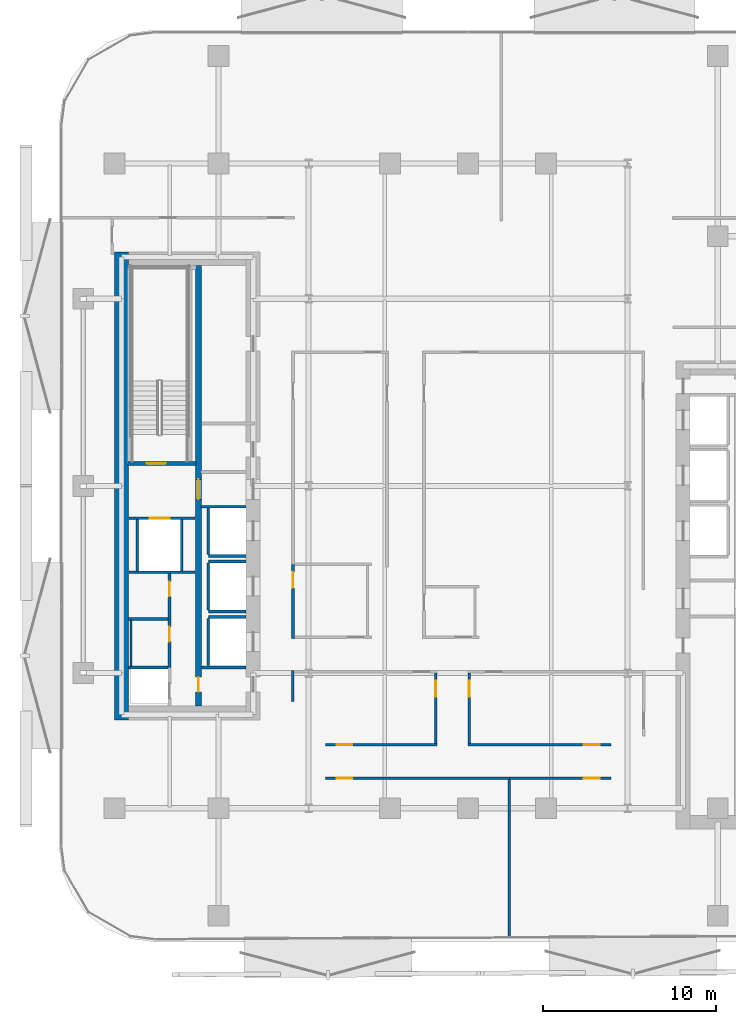
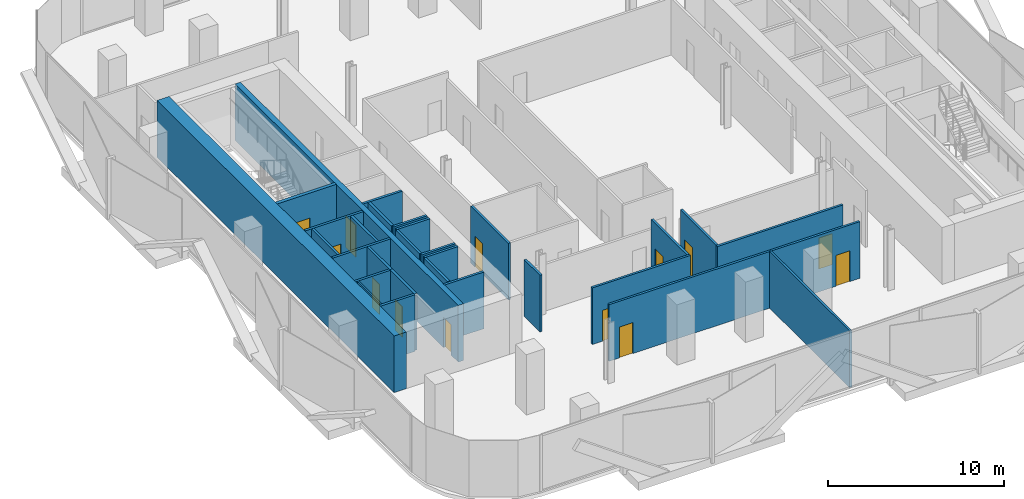
# One storey, part 3 of 15: 30 walls, 13 doors, 13 openings.
"""IFC4 building model written with IfcOpenShell, lengths in metres."""

from ifc_helpers import new_model, si_unit, direction, frame, frame_2d, origin, place, context, subcontext, project, spatial, rectangle, extrude, material, layer, layer_set, type_object, element, fill, save


model = new_model("IFC4")

# Units and contexts
model_context = context("Model", 3, precision=1e-05, world=origin(), true_north=direction((0.0, 1.0)))
body_context = subcontext(model_context, "Body", "Model", "MODEL_VIEW")
ifc_project = project(units=[si_unit("LENGTHUNIT", "METRE"), si_unit("AREAUNIT", "SQUARE_METRE"), si_unit("VOLUMEUNIT", "CUBIC_METRE"), si_unit("PLANEANGLEUNIT", "RADIAN"), si_unit("MASSUNIT", "GRAM", prefix="KILO")], contexts=[model_context])

# Site, building, storey
site_placement = place(None, origin())
site = spatial("IfcSite", under=ifc_project, at=site_placement, CompositionType="ELEMENT")
building_placement = place(site_placement, origin())
building = spatial("IfcBuilding", under=site, at=building_placement, Name="Khairoan Windgate Tower", CompositionType="ELEMENT")
storey_placement = place(building_placement, frame((0.0, 0.0, 101.60009765625)))
storey = spatial("IfcBuildingStorey", under=building, at=storey_placement, Name="L23", CompositionType="ELEMENT", Elevation=101.60009765625)

# Walls
ifc_material_1 = material(Name="Moisture-Resistant Gypsum Partition", Category="gypsum")
ifc_layer_1 = layer(ifc_material_1, 0.10009765625, Name="Moisture-Resistant Gypsum Partition")
ifc_layer_set_1 = layer_set([ifc_layer_1], Name="Moisture-Resistant Gypsum Partition")
wall_type_1 = type_object("IfcWallType", Name="Bathroom Wet-Area Partition Wall", PredefinedType="PARTITIONING", material=ifc_layer_set_1)
wall_1_placement = place(storey_placement, frame((-19.449951171875, -10.389892578125, 0.0), z_axis=(0.0, 0.0, 1.0), x_axis=(0.0, 1.0, 0.0)))
element("IfcWall", 1, at=wall_1_placement, inside=storey, type_object=wall_type_1, Name="L23 Wet Room Side Wall 042", PredefinedType="PARTITIONING", context=body_context, shape_type="SweptSolid", body=[
    extrude(rectangle(XDim=2.639892578125, YDim=0.10009765625, at=frame_2d((1.31982421875, 0.0))), origin(), (0.0, 0.0, 1.0), 3.93994140625),
])
ifc_material_2 = material(Name="Concrete C40/50", Category="concrete")
ifc_layer_2 = layer(ifc_material_2, 0.159912109375, Name="Concrete C40/50")
ifc_layer_set_2 = layer_set([ifc_layer_2], Name="Concrete C40/50")
wall_type_2 = type_object("IfcWallType", Name="Core and Hoistway Enclosure Wall", PredefinedType="STANDARD", material=ifc_layer_set_2)
wall_2_placement = place(storey_placement, frame((-14.989990234375, -4.0400390625, 0.0), z_axis=(0.0, 0.0, 1.0), x_axis=(1.0, 0.0, 0.0)))
element("IfcWall", 2, at=wall_2_placement, inside=storey, type_object=wall_type_2, Name="L23 Lift PL4 Hoistway Divider S", PredefinedType="STANDARD", context=body_context, shape_type="SweptSolid", body=[
    extrude(rectangle(XDim=2.18994140625, YDim=0.159912109375, at=frame_2d((1.094970703125, 0.0))), origin(), (0.0, 0.0, 1.0), 3.93994140625),
])
wall_3_placement = place(storey_placement, frame((-14.989990234375, -3.949951171875, 0.0), z_axis=(0.0, 0.0, 1.0), x_axis=(0.0, 1.0, 0.0)))
element("IfcWall", 3, at=wall_3_placement, inside=storey, type_object=wall_type_2, Name="L23 Lift PL4 Hoistway Back Wall", PredefinedType="STANDARD", context=body_context, shape_type="SweptSolid", body=[
    extrude(rectangle(XDim=2.699951171875, YDim=0.159912109375, at=frame_2d((1.35009765625, 0.0))), origin(), (0.0, 0.0, 1.0), 3.93994140625),
])
for number, where, z_axis, x_axis, name in (
    (4, (-14.989990234375, -7.239990234375, 0.0), (0.0, 0.0, 1.0), (1.0, 0.0, 0.0), "L23 Lift PL5 Hoistway Divider S"),
    (5, (-14.989990234375, -4.360107421875, 0.0), (0.0, 0.0, 1.0), (1.0, 0.0, 0.0), "L23 Lift PL5 Hoistway Divider N"),
):
    element("IfcWall", number, at=place(storey_placement, frame(where, z_axis=z_axis, x_axis=x_axis)), inside=storey, type_object=wall_type_2, Name=name, PredefinedType="STANDARD", context=body_context, shape_type="SweptSolid", body=[
        extrude(rectangle(XDim=2.18994140625, YDim=0.159912109375, at=frame_2d((1.094970703125, 0.0))), origin(), (0.0, 0.0, 1.0), 3.93994140625),
    ])
wall_4_placement = place(storey_placement, frame((-14.989990234375, -7.14990234375, 0.0), z_axis=(0.0, 0.0, 1.0), x_axis=(0.0, 1.0, 0.0)))
element("IfcWall", 6, at=wall_4_placement, inside=storey, type_object=wall_type_2, Name="L23 Lift PL5 Hoistway Back Wall", PredefinedType="STANDARD", context=body_context, shape_type="SweptSolid", body=[
    extrude(rectangle(XDim=2.699951171875, YDim=0.159912109375, at=frame_2d((1.35009765625, 0.0))), origin(), (0.0, 0.0, 1.0), 3.93994140625),
])
wall_5_placement = place(storey_placement, frame((-14.989990234375, -7.56005859375, 0.0), z_axis=(0.0, 0.0, 1.0), x_axis=(1.0, 0.0, 0.0)))
element("IfcWall", 7, at=wall_5_placement, inside=storey, type_object=wall_type_2, Name="L23 Lift PL6 Hoistway Divider N", PredefinedType="STANDARD", context=body_context, shape_type="SweptSolid", body=[
    extrude(rectangle(XDim=2.18994140625, YDim=0.159912109375, at=frame_2d((1.094970703125, 0.0))), origin(), (0.0, 0.0, 1.0), 3.93994140625),
])
wall_6_placement = place(storey_placement, frame((-14.989990234375, -10.35009765625, 0.0), z_axis=(0.0, 0.0, 1.0), x_axis=(0.0, 1.0, 0.0)))
element("IfcWall", 8, at=wall_6_placement, inside=storey, type_object=wall_type_2, Name="L23 Lift PL6 Hoistway Back Wall", PredefinedType="STANDARD", context=body_context, shape_type="SweptSolid", body=[
    extrude(rectangle(XDim=2.7001953125, YDim=0.159912109375, at=frame_2d((1.35009765625, 0.0))), origin(), (0.0, 0.0, 1.0), 3.93994140625),
])

# Wall, opening, door
wall_7_placement = place(storey_placement, frame((-19.550048828125, -1.860107421875, 0.0), z_axis=(0.0, 0.0, 1.0), x_axis=(1.0, 0.0, 0.0)))
wall_7 = element("IfcWall", 9, at=wall_7_placement, inside=storey, type_object=wall_type_2, Name="L23 Core Shaft Wall SW-FL2-L23", PredefinedType="STANDARD", context=body_context, shape_type="SweptSolid", body=[
    extrude(rectangle(XDim=3.800048828125, YDim=0.159912109375, at=frame_2d((1.89990234375, 0.0))), origin(), (0.0, 0.0, 1.0), 3.93994140625),
])
opening_1_placement = place(wall_7_placement, frame((1.179931640625, 0.0, 0.0)))
opening_1 = element("IfcOpeningElement", 10, at=opening_1_placement, cuts=wall_7, Name="Opening LD-FL", PredefinedType="OPENING", context=body_context, shape_type="SweptSolid", body=[
    extrude(rectangle(XDim=1.14990234375, YDim=2.199951171875, at=frame_2d((0.574951171875, 1.10009765625))), frame((0.0, 0.08984375, 0.0), z_axis=(0.0, -1.0, 0.0), x_axis=(1.0, 0.0, 0.0)), (0.0, 0.0, 1.0), 0.179931640625),
])
ifc_material_3 = material(Name="Steel S355", Category="steel")
door_type_1 = type_object("IfcDoorType", Name="Firefighting Lift Sliding Landing Door LD-FL 1150x2200", OperationType="DOUBLE_DOOR_SLIDING", PredefinedType="DOOR", material=ifc_material_3)
door_1_placement = place(opening_1_placement, origin())
door_1 = element("IfcDoor", 11, at=door_1_placement, inside=storey, type_object=door_type_1, Name="L23 Firefighting Lift FL2 Landing Door", OperationType="DOUBLE_DOOR_SLIDING", OverallHeight=2.199951171875, OverallWidth=1.14990234375, PredefinedType="DOOR", context=body_context, shape_type="SweptSolid", body=[
    extrude(rectangle(XDim=1.14990234375, YDim=2.199951171875, at=frame_2d((0.574951171875, 1.10009765625))), frame((0.0, 0.02490234375, 0.0), z_axis=(0.0, -1.0, 0.0), x_axis=(1.0, 0.0, 0.0)), (0.0, 0.0, 1.0), 0.050048828125),
])
fill(opening_1, door_1)

# Walls
wall_8_placement = place(storey_placement, frame((-19.550048828125, -4.97998046875, 0.0), z_axis=(0.0, 0.0, 1.0), x_axis=(1.0, 0.0, 0.0)))
element("IfcWall", 12, at=wall_8_placement, inside=storey, type_object=wall_type_2, Name="L23 Core Shaft Wall SW-FL2B-L23", PredefinedType="STANDARD", context=body_context, shape_type="SweptSolid", body=[
    extrude(rectangle(XDim=3.800048828125, YDim=0.159912109375, at=frame_2d((1.89990234375, 0.0))), origin(), (0.0, 0.0, 1.0), 3.93994140625),
])
for number, where, z_axis, x_axis, name in (
    (13, (-19.080078125, -4.89990234375, 0.0), (0.0, 0.0, 1.0), (0.0, 1.0, 0.0), "L23 Core Shaft Wall SW-FL2W-L23"),
    (14, (-16.52001953125, -4.89990234375, 0.0), (0.0, 0.0, 1.0), (0.0, 1.0, 0.0), "L23 Core Shaft Wall SW-FL2E-L23"),
):
    element("IfcWall", number, at=place(storey_placement, frame(where, z_axis=z_axis, x_axis=x_axis)), inside=storey, type_object=wall_type_2, Name=name, PredefinedType="STANDARD", context=body_context, shape_type="SweptSolid", body=[
        extrude(rectangle(XDim=2.9599609375, YDim=0.159912109375, at=frame_2d((1.47998046875, 0.0))), origin(), (0.0, 0.0, 1.0), 3.93994140625),
    ])
for number, where, z_axis, x_axis, name in (
    (15, (-15.39990234375, -1.199951171875, 0.0), (0.0, 0.0, 1.0), (1.0, 0.0, 0.0), "L23 Core Shaft Wall SW-WV2-L23"),
    (16, (-15.39990234375, -10.47998046875, 0.0), (0.0, 0.0, 1.0), (1.0, 0.0, 0.0), "L23 Core Shaft Wall SW-WSV-L23"),
):
    element("IfcWall", number, at=place(storey_placement, frame(where, z_axis=z_axis, x_axis=x_axis)), inside=storey, type_object=wall_type_2, Name=name, PredefinedType="STANDARD", context=body_context, shape_type="SweptSolid", body=[
        extrude(rectangle(XDim=2.599853515625, YDim=0.159912109375, at=frame_2d((1.2998046875, 0.0))), origin(), (0.0, 0.0, 1.0), 3.93994140625),
    ])
ifc_material_4 = material(Name="Acoustic Fire-Rated Gypsum Partition", Category="gypsum")
ifc_layer_3 = layer(ifc_material_4, 0.139892578125, Name="Acoustic Fire-Rated Gypsum Partition")
ifc_layer_set_3 = layer_set([ifc_layer_3], Name="Acoustic Fire-Rated Gypsum Partition")
wall_type_3 = type_object("IfcWallType", Name="Inter-Tenancy Compartment Wall", PredefinedType="PARTITIONING", material=ifc_layer_set_3)
wall_9_placement = place(storey_placement, frame((2.3798828125, -26.054931640625, 0.0), z_axis=(0.0, 0.0, 1.0), x_axis=(0.0, 1.0, 0.0)))
element("IfcWall", 17, at=wall_9_placement, inside=storey, type_object=wall_type_3, Name="L23 Interior Partition 039", PredefinedType="PARTITIONING", context=body_context, shape_type="SweptSolid", body=[
    extrude(rectangle(XDim=9.119873046875, YDim=0.139892578125, at=frame_2d((4.56005859375, 0.0))), origin(), (0.0, 0.0, 1.0), 3.93994140625),
])

# Wall, opening, door
ifc_material_5 = material(Name="Concrete C40/50", Category="concrete")
ifc_layer_4 = layer(ifc_material_5, 0.159912109375, Name="Concrete C40/50")
ifc_layer_set_4 = layer_set([ifc_layer_4], Name="Concrete C40/50")
wall_type_4 = type_object("IfcWallType", Name="Plant and Refuge Compartment Wall", PredefinedType="PARTITIONING", material=ifc_layer_set_4)
wall_10_placement = place(storey_placement, frame((-17.22998046875, -10.469970703125, 0.0), z_axis=(0.0, 0.0, 1.0), x_axis=(0.0, 1.0, 0.0)))
wall_10 = element("IfcWall", 18, at=wall_10_placement, inside=storey, type_object=wall_type_4, Name="L23 Interior Partition 002", PredefinedType="PARTITIONING", context=body_context, shape_type="SweptSolid", body=[
    extrude(rectangle(XDim=2.800048828125, YDim=0.159912109375, at=frame_2d((1.39990234375, 0.0))), origin(), (0.0, 0.0, 1.0), 3.93994140625),
])
opening_2_placement = place(wall_10_placement, frame((1.489990234375, 0.0, 0.0)))
opening_2 = element("IfcOpeningElement", 19, at=opening_2_placement, cuts=wall_10, Name="Opening FD-SRV", PredefinedType="OPENING", context=body_context, shape_type="SweptSolid", body=[
    extrude(rectangle(XDim=0.85009765625, YDim=2.10009765625, at=frame_2d((0.425048828125, 1.050048828125))), frame((0.0, 0.08984375, 0.0), z_axis=(0.0, -1.0, 0.0), x_axis=(1.0, 0.0, 0.0)), (0.0, 0.0, 1.0), 0.179931640625),
])
ifc_material_6 = material(Name="Steel S355", Category="steel")
door_type_2 = type_object("IfcDoorType", Name="Core Service and Riser Fire Door FD-SRV 850x2100", OperationType="NOTDEFINED", PredefinedType="DOOR", material=ifc_material_6)
door_2_placement = place(opening_2_placement, origin())
door_2 = element("IfcDoor", 20, at=door_2_placement, inside=storey, type_object=door_type_2, Name="L23 L23-04-L23-06 Door", OperationType="SINGLE_SWING_RIGHT", OverallHeight=2.10009765625, OverallWidth=0.85009765625, PredefinedType="DOOR", context=body_context, shape_type="SweptSolid", body=[
    extrude(rectangle(XDim=0.85009765625, YDim=2.10009765625, at=frame_2d((0.425048828125, 1.050048828125))), frame((0.0, 0.02490234375, 0.0), z_axis=(0.0, -1.0, 0.0), x_axis=(1.0, 0.0, 0.0)), (0.0, 0.0, 1.0), 0.050048828125),
])
fill(opening_2, door_2)

wall_11_placement = place(storey_placement, frame((-17.22998046875, -7.669921875, 0.0), z_axis=(0.0, 0.0, 1.0), x_axis=(0.0, 1.0, 0.0)))
wall_11 = element("IfcWall", 21, at=wall_11_placement, inside=storey, type_object=wall_type_4, Name="L23 Interior Partition 003", PredefinedType="PARTITIONING", context=body_context, shape_type="SweptSolid", body=[
    extrude(rectangle(XDim=2.60986328125, YDim=0.159912109375, at=frame_2d((1.304931640625, 0.0))), origin(), (0.0, 0.0, 1.0), 3.93994140625),
])
opening_3_placement = place(wall_11_placement, frame((1.300048828125, 0.0, 0.0)))
opening_3 = element("IfcOpeningElement", 22, at=opening_3_placement, cuts=wall_11, Name="Opening FD-SRV", PredefinedType="OPENING", context=body_context, shape_type="SweptSolid", body=[
    extrude(rectangle(XDim=0.85009765625, YDim=2.10009765625, at=frame_2d((0.425048828125, 1.050048828125))), frame((0.0, 0.08984375, 0.0), z_axis=(0.0, -1.0, 0.0), x_axis=(1.0, 0.0, 0.0)), (0.0, 0.0, 1.0), 0.179931640625),
])
door_3_placement = place(opening_3_placement, origin())
door_3 = element("IfcDoor", 23, at=door_3_placement, inside=storey, type_object=door_type_2, Name="L23 L23-04-L23-07 Door", OperationType="SINGLE_SWING_LEFT", OverallHeight=2.10009765625, OverallWidth=0.85009765625, PredefinedType="DOOR", context=body_context, shape_type="SweptSolid", body=[
    extrude(rectangle(XDim=0.85009765625, YDim=2.10009765625, at=frame_2d((0.425048828125, 1.050048828125))), frame((0.0, 0.02490234375, 0.0), z_axis=(0.0, -1.0, 0.0), x_axis=(1.0, 0.0, 0.0)), (0.0, 0.0, 1.0), 0.050048828125),
])
fill(opening_3, door_3)

# Walls
for number, where, z_axis, x_axis, name in (
    (24, (-19.60009765625, -10.469970703125, 0.0), (0.0, 0.0, 1.0), (1.0, 0.0, 0.0), "L23 Interior Partition 004"),
    (25, (-19.60009765625, -7.669921875, 0.0), (0.0, 0.0, 1.0), (1.0, 0.0, 0.0), "L23 Interior Partition 005"),
):
    element("IfcWall", number, at=place(storey_placement, frame(where, z_axis=z_axis, x_axis=x_axis)), inside=storey, type_object=wall_type_4, Name=name, PredefinedType="PARTITIONING", context=body_context, shape_type="SweptSolid", body=[
        extrude(rectangle(XDim=2.2900390625, YDim=0.159912109375, at=frame_2d((1.14501953125, 0.0))), origin(), (0.0, 0.0, 1.0), 3.93994140625),
    ])

# Wall, opening, door
ifc_material_7 = material(Name="Acoustic Fire-Rated Gypsum Partition", Category="gypsum")
ifc_layer_5 = layer(ifc_material_7, 0.14990234375, Name="Acoustic Fire-Rated Gypsum Partition")
ifc_layer_set_5 = layer_set([ifc_layer_5], Name="Acoustic Fire-Rated Gypsum Partition")
wall_type_5 = type_object("IfcWallType", Name="Rated Corridor Partition Wall", PredefinedType="PARTITIONING", material=ifc_layer_set_5)
wall_12_placement = place(storey_placement, frame((-10.10009765625, -8.794921875, 0.0), z_axis=(0.0, 0.0, 1.0), x_axis=(0.0, 1.0, 0.0)))
wall_12 = element("IfcWall", 26, at=wall_12_placement, inside=storey, type_object=wall_type_5, Name="L23 Interior Partition 011", PredefinedType="PARTITIONING", context=body_context, shape_type="SweptSolid", body=[
    extrude(rectangle(XDim=4.27490234375, YDim=0.14990234375, at=frame_2d((2.137451171875, 0.0))), origin(), (0.0, 0.0, 1.0), 3.93994140625),
])
opening_4_placement = place(wall_12_placement, frame((2.9150390625, 0.0, 0.0)))
opening_4 = element("IfcOpeningElement", 27, at=opening_4_placement, cuts=wall_12, Name="Opening FD-ENT", PredefinedType="OPENING", context=body_context, shape_type="SweptSolid", body=[
    extrude(rectangle(XDim=0.89990234375, YDim=2.14990234375, at=frame_2d((0.449951171875, 1.074951171875))), frame((0.0, 0.0849609375, 0.0), z_axis=(0.0, -1.0, 0.0), x_axis=(1.0, 0.0, 0.0)), (0.0, 0.0, 1.0), 0.169921875),
])
ifc_material_8 = material(Name="Timber Fire-Rated Core", Category="wood")
door_type_3 = type_object("IfcDoorType", Name="Unit and Office Fire Entrance Door FD-ENT 900x2150", OperationType="NOTDEFINED", PredefinedType="DOOR", material=ifc_material_8)
door_4_placement = place(opening_4_placement, origin())
door_4 = element("IfcDoor", 28, at=door_4_placement, inside=storey, type_object=door_type_3, Name="L23 L23-27-L23-45 Door", OperationType="SINGLE_SWING_LEFT", OverallHeight=2.14990234375, OverallWidth=0.89990234375, PredefinedType="DOOR", context=body_context, shape_type="SweptSolid", body=[
    extrude(rectangle(XDim=0.89990234375, YDim=2.14990234375, at=frame_2d((0.449951171875, 1.074951171875))), frame((0.0, 0.02490234375, 0.0), z_axis=(0.0, -1.0, 0.0), x_axis=(1.0, 0.0, 0.0)), (0.0, 0.0, 1.0), 0.050048828125),
])
fill(opening_4, door_4)

# Wall
wall_13_placement = place(storey_placement, frame((-10.125, -12.43994140625, 0.0), z_axis=(0.0, 0.0, 1.0), x_axis=(0.0, 1.0, 0.0)))
element("IfcWall", 29, at=wall_13_placement, inside=storey, type_object=wall_type_5, Name="L23 Interior Partition 013", PredefinedType="PARTITIONING", context=body_context, shape_type="SweptSolid", body=[
    extrude(rectangle(XDim=1.800048828125, YDim=0.14990234375, at=frame_2d((0.89990234375, 0.0))), origin(), (0.0, 0.0, 1.0), 3.93994140625),
])

# Wall, opening, door
wall_14_placement = place(storey_placement, frame((-8.239990234375, -16.860107421875, 0.0), z_axis=(0.0, 0.0, 1.0), x_axis=(1.0, 0.0, 0.0)))
wall_14 = element("IfcWall", 30, at=wall_14_placement, inside=storey, type_object=wall_type_5, Name="L23 Interior Partition 029", PredefinedType="PARTITIONING", context=body_context, shape_type="SweptSolid", body=[
    extrude(rectangle(XDim=10.619873046875, YDim=0.14990234375, at=frame_2d((5.31005859375, 0.0))), origin(), (0.0, 0.0, 1.0), 3.93994140625),
])
opening_5_placement = place(wall_14_placement, frame((0.664794921875, 0.0, 0.0)))
opening_5 = element("IfcOpeningElement", 31, at=opening_5_placement, cuts=wall_14, Name="Opening FD-ENT", PredefinedType="OPENING", context=body_context, shape_type="SweptSolid", body=[
    extrude(rectangle(XDim=0.89990234375, YDim=2.14990234375, at=frame_2d((0.449951171875, 1.074951171875))), frame((0.0, 0.0849609375, 0.0), z_axis=(0.0, -1.0, 0.0), x_axis=(1.0, 0.0, 0.0)), (0.0, 0.0, 1.0), 0.169921875),
])
door_5_placement = place(opening_5_placement, origin())
door_5 = element("IfcDoor", 32, at=door_5_placement, inside=storey, type_object=door_type_3, Name="L23 L23-34-L23-41 Door", OperationType="SINGLE_SWING_LEFT", OverallHeight=2.14990234375, OverallWidth=0.89990234375, PredefinedType="DOOR", context=body_context, shape_type="SweptSolid", body=[
    extrude(rectangle(XDim=0.89990234375, YDim=2.14990234375, at=frame_2d((0.449951171875, 1.074951171875))), frame((0.0, 0.02490234375, 0.0), z_axis=(0.0, -1.0, 0.0), x_axis=(1.0, 0.0, 0.0)), (0.0, 0.0, 1.0), 0.050048828125),
])
fill(opening_5, door_5)

wall_15_placement = place(storey_placement, frame((2.3798828125, -16.860107421875, 0.0), z_axis=(0.0, 0.0, 1.0), x_axis=(1.0, 0.0, 0.0)))
wall_15 = element("IfcWall", 33, at=wall_15_placement, inside=storey, type_object=wall_type_5, Name="L23 Interior Partition 030", PredefinedType="PARTITIONING", context=body_context, shape_type="SweptSolid", body=[
    extrude(rectangle(XDim=5.860107421875, YDim=0.14990234375, at=frame_2d((2.93017578125, 0.0))), origin(), (0.0, 0.0, 1.0), 3.93994140625),
])
opening_6_placement = place(wall_15_placement, frame((4.298095703125, 0.0, 0.0)))
opening_6 = element("IfcOpeningElement", 34, at=opening_6_placement, cuts=wall_15, Name="Opening FD-ENT", PredefinedType="OPENING", context=body_context, shape_type="SweptSolid", body=[
    extrude(rectangle(XDim=0.89990234375, YDim=2.14990234375, at=frame_2d((0.449951171875, 1.074951171875))), frame((0.0, 0.0849609375, 0.0), z_axis=(0.0, -1.0, 0.0), x_axis=(1.0, 0.0, 0.0)), (0.0, 0.0, 1.0), 0.169921875),
])
door_6_placement = place(opening_6_placement, origin())
door_6 = element("IfcDoor", 35, at=door_6_placement, inside=storey, type_object=door_type_3, Name="L23 L23-34-L23-42 Door", OperationType="SINGLE_SWING_RIGHT", OverallHeight=2.14990234375, OverallWidth=0.89990234375, PredefinedType="DOOR", context=body_context, shape_type="SweptSolid", body=[
    extrude(rectangle(XDim=0.89990234375, YDim=2.14990234375, at=frame_2d((0.449951171875, 1.074951171875))), frame((0.0, 0.02490234375, 0.0), z_axis=(0.0, -1.0, 0.0), x_axis=(1.0, 0.0, 0.0)), (0.0, 0.0, 1.0), 0.050048828125),
])
fill(opening_6, door_6)

wall_16_placement = place(storey_placement, frame((-8.239990234375, -14.93994140625, 0.0), z_axis=(0.0, 0.0, 1.0), x_axis=(1.0, 0.0, 0.0)))
wall_16 = element("IfcWall", 36, at=wall_16_placement, inside=storey, type_object=wall_type_5, Name="L23 Interior Partition 031", PredefinedType="PARTITIONING", context=body_context, shape_type="SweptSolid", body=[
    extrude(rectangle(XDim=6.455078125, YDim=0.14990234375, at=frame_2d((3.2275390625, 0.0))), origin(), (0.0, 0.0, 1.0), 3.93994140625),
])
opening_7_placement = place(wall_16_placement, frame((0.66162109375, 0.0, 0.0)))
opening_7 = element("IfcOpeningElement", 37, at=opening_7_placement, cuts=wall_16, Name="Opening FD-ENT", PredefinedType="OPENING", context=body_context, shape_type="SweptSolid", body=[
    extrude(rectangle(XDim=0.89990234375, YDim=2.14990234375, at=frame_2d((0.449951171875, 1.074951171875))), frame((0.0, 0.0849609375, 0.0), z_axis=(0.0, -1.0, 0.0), x_axis=(1.0, 0.0, 0.0)), (0.0, 0.0, 1.0), 0.169921875),
])
door_7_placement = place(opening_7_placement, origin())
door_7 = element("IfcDoor", 38, at=door_7_placement, inside=storey, type_object=door_type_3, Name="L23 L23-34-L23-47 Door", OperationType="SINGLE_SWING_LEFT", OverallHeight=2.14990234375, OverallWidth=0.89990234375, PredefinedType="DOOR", context=body_context, shape_type="SweptSolid", body=[
    extrude(rectangle(XDim=0.89990234375, YDim=2.14990234375, at=frame_2d((0.449951171875, 1.074951171875))), frame((0.0, 0.02490234375, 0.0), z_axis=(0.0, -1.0, 0.0), x_axis=(1.0, 0.0, 0.0)), (0.0, 0.0, 1.0), 0.050048828125),
])
fill(opening_7, door_7)

wall_17_placement = place(storey_placement, frame((-0.014892578125, -14.93994140625, 0.0), z_axis=(0.0, 0.0, 1.0), x_axis=(1.0, 0.0, 0.0)))
wall_17 = element("IfcWall", 39, at=wall_17_placement, inside=storey, type_object=wall_type_5, Name="L23 Interior Partition 032", PredefinedType="PARTITIONING", context=body_context, shape_type="SweptSolid", body=[
    extrude(rectangle(XDim=8.2548828125, YDim=0.14990234375, at=frame_2d((4.12744140625, 0.0))), origin(), (0.0, 0.0, 1.0), 3.93994140625),
])
opening_8_placement = place(wall_17_placement, frame((6.69384765625, 0.0, 0.0)))
opening_8 = element("IfcOpeningElement", 40, at=opening_8_placement, cuts=wall_17, Name="Opening FD-ENT", PredefinedType="OPENING", context=body_context, shape_type="SweptSolid", body=[
    extrude(rectangle(XDim=0.89990234375, YDim=2.14990234375, at=frame_2d((0.449951171875, 1.074951171875))), frame((0.0, 0.0849609375, 0.0), z_axis=(0.0, -1.0, 0.0), x_axis=(1.0, 0.0, 0.0)), (0.0, 0.0, 1.0), 0.169921875),
])
door_8_placement = place(opening_8_placement, origin())
door_8 = element("IfcDoor", 41, at=door_8_placement, inside=storey, type_object=door_type_3, Name="L23 L23-34-L23-48 Door", OperationType="SINGLE_SWING_RIGHT", OverallHeight=2.14990234375, OverallWidth=0.89990234375, PredefinedType="DOOR", context=body_context, shape_type="SweptSolid", body=[
    extrude(rectangle(XDim=0.89990234375, YDim=2.14990234375, at=frame_2d((0.449951171875, 1.074951171875))), frame((0.0, 0.02490234375, 0.0), z_axis=(0.0, -1.0, 0.0), x_axis=(1.0, 0.0, 0.0)), (0.0, 0.0, 1.0), 0.050048828125),
])
fill(opening_8, door_8)

wall_18_placement = place(storey_placement, frame((-1.860107421875, -14.864990234375, 0.0), z_axis=(0.0, 0.0, 1.0), x_axis=(0.0, 1.0, 0.0)))
wall_18 = element("IfcWall", 42, at=wall_18_placement, inside=storey, type_object=wall_type_5, Name="L23 Interior Partition 033", PredefinedType="PARTITIONING", context=body_context, shape_type="SweptSolid", body=[
    extrude(rectangle(XDim=4.074951171875, YDim=0.14990234375, at=frame_2d((2.03759765625, 0.0))), origin(), (0.0, 0.0, 1.0), 3.93994140625),
])
opening_9_placement = place(wall_18_placement, frame((2.715087890625, 0.0, 0.0)))
opening_9 = element("IfcOpeningElement", 43, at=opening_9_placement, cuts=wall_18, Name="Opening FD-ENT", PredefinedType="OPENING", context=body_context, shape_type="SweptSolid", body=[
    extrude(rectangle(XDim=0.89990234375, YDim=2.14990234375, at=frame_2d((0.449951171875, 1.074951171875))), frame((0.0, 0.0849609375, 0.0), z_axis=(0.0, -1.0, 0.0), x_axis=(1.0, 0.0, 0.0)), (0.0, 0.0, 1.0), 0.169921875),
])
door_9_placement = place(opening_9_placement, origin())
door_9 = element("IfcDoor", 44, at=door_9_placement, inside=storey, type_object=door_type_3, Name="L23 L23-35-L23-47 Door", OperationType="SINGLE_SWING_LEFT", OverallHeight=2.14990234375, OverallWidth=0.89990234375, PredefinedType="DOOR", context=body_context, shape_type="SweptSolid", body=[
    extrude(rectangle(XDim=0.89990234375, YDim=2.14990234375, at=frame_2d((0.449951171875, 1.074951171875))), frame((0.0, 0.02490234375, 0.0), z_axis=(0.0, -1.0, 0.0), x_axis=(1.0, 0.0, 0.0)), (0.0, 0.0, 1.0), 0.050048828125),
])
fill(opening_9, door_9)

wall_19_placement = place(storey_placement, frame((0.06005859375, -14.864990234375, 0.0), z_axis=(0.0, 0.0, 1.0), x_axis=(0.0, 1.0, 0.0)))
wall_19 = element("IfcWall", 45, at=wall_19_placement, inside=storey, type_object=wall_type_5, Name="L23 Interior Partition 034", PredefinedType="PARTITIONING", context=body_context, shape_type="SweptSolid", body=[
    extrude(rectangle(XDim=4.074951171875, YDim=0.14990234375, at=frame_2d((2.03759765625, 0.0))), origin(), (0.0, 0.0, 1.0), 3.93994140625),
])
opening_10_placement = place(wall_19_placement, frame((2.715087890625, 0.0, 0.0)))
opening_10 = element("IfcOpeningElement", 46, at=opening_10_placement, cuts=wall_19, Name="Opening FD-ENT", PredefinedType="OPENING", context=body_context, shape_type="SweptSolid", body=[
    extrude(rectangle(XDim=0.89990234375, YDim=2.14990234375, at=frame_2d((0.449951171875, 1.074951171875))), frame((0.0, 0.0849609375, 0.0), z_axis=(0.0, -1.0, 0.0), x_axis=(1.0, 0.0, 0.0)), (0.0, 0.0, 1.0), 0.169921875),
])
door_10_placement = place(opening_10_placement, origin())
door_10 = element("IfcDoor", 47, at=door_10_placement, inside=storey, type_object=door_type_3, Name="L23 L23-35-L23-48 Door", OperationType="SINGLE_SWING_RIGHT", OverallHeight=2.14990234375, OverallWidth=0.89990234375, PredefinedType="DOOR", context=body_context, shape_type="SweptSolid", body=[
    extrude(rectangle(XDim=0.89990234375, YDim=2.14990234375, at=frame_2d((0.449951171875, 1.074951171875))), frame((0.0, 0.02490234375, 0.0), z_axis=(0.0, -1.0, 0.0), x_axis=(1.0, 0.0, 0.0)), (0.0, 0.0, 1.0), 0.050048828125),
])
fill(opening_10, door_10)

# Wall
ifc_material_9 = material(Name="Concrete C70/85", Category="concrete")
ifc_layer_6 = layer(ifc_material_9, 0.800048828125, Name="Concrete C70/85")
ifc_layer_set_6 = layer_set([ifc_layer_6], Name="Concrete C70/85")
wall_type_6 = type_object("IfcWallType", Name="Shear Wall CW-W1 800mm", PredefinedType="SHEAR", material=ifc_layer_set_6)
wall_20_placement = place(storey_placement, frame((-20.0, -13.5, 0.0), z_axis=(0.0, 0.0, 1.0), x_axis=(0.0, 1.0, 0.0)))
element("IfcWall", 48, at=wall_20_placement, inside=storey, type_object=wall_type_6, Name="W Core West Shear Wall L23", PredefinedType="SHEAR", context=body_context, shape_type="SweptSolid", body=[
    extrude(rectangle(XDim=27.0, YDim=0.800048828125, at=frame_2d((13.5, 0.0))), origin(), (0.0, 0.0, 1.0), 3.93994140625),
])

# Wall, openings, doors
ifc_material_10 = material(Name="Concrete C60/75", Category="concrete")
ifc_layer_7 = layer(ifc_material_10, 0.35009765625, Name="Concrete C60/75")
ifc_layer_set_7 = layer_set([ifc_layer_7], Name="Concrete C60/75")
wall_type_7 = type_object("IfcWallType", Name="Shear Wall SW-1 350mm", PredefinedType="SHEAR", material=ifc_layer_set_7)
wall_21_placement = place(storey_placement, frame((-15.550048828125, -12.699951171875, 0.0), z_axis=(0.0, 0.0, 1.0), x_axis=(0.0, 1.0, 0.0)))
wall_21 = element("IfcWall", 49, at=wall_21_placement, inside=storey, type_object=wall_type_7, Name="W Core Spine Shear Wall L23", PredefinedType="SHEAR", context=body_context, shape_type="SweptSolid", body=[
    extrude(rectangle(XDim=25.39990234375, YDim=0.35009765625, at=frame_2d((12.699951171875, 0.0))), origin(), (0.0, 0.0, 1.0), 3.93994140625),
])
opening_11_placement = place(wall_21_placement, frame((11.925048828125, 0.0, 0.0)))
opening_11 = element("IfcOpeningElement", 50, at=opening_11_placement, cuts=wall_21, Name="Opening FD-FFL", PredefinedType="OPENING", context=body_context, shape_type="SweptSolid", body=[
    extrude(rectangle(XDim=1.14990234375, YDim=2.199951171875, at=frame_2d((0.574951171875, 1.10009765625))), frame((0.0, 0.18505859375, 0.0), z_axis=(0.0, -1.0, 0.0), x_axis=(1.0, 0.0, 0.0)), (0.0, 0.0, 1.0), 0.3701171875),
])
opening_12_placement = place(wall_21_placement, frame((0.824951171875, 0.0, 0.0)))
opening_12 = element("IfcOpeningElement", 51, at=opening_12_placement, cuts=wall_21, Name="Opening FD-SRV", PredefinedType="OPENING", context=body_context, shape_type="SweptSolid", body=[
    extrude(rectangle(XDim=0.85009765625, YDim=2.10009765625, at=frame_2d((0.425048828125, 1.050048828125))), frame((0.0, 0.18505859375, 0.0), z_axis=(0.0, -1.0, 0.0), x_axis=(1.0, 0.0, 0.0)), (0.0, 0.0, 1.0), 0.3701171875),
])
door_11_placement = place(opening_12_placement, origin())
door_11 = element("IfcDoor", 52, at=door_11_placement, inside=storey, type_object=door_type_2, Name="L23 West Core Service Passage Inner Door", OperationType="SINGLE_SWING_RIGHT", OverallHeight=2.10009765625, OverallWidth=0.85009765625, PredefinedType="DOOR", context=body_context, shape_type="SweptSolid", body=[
    extrude(rectangle(XDim=0.85009765625, YDim=2.10009765625, at=frame_2d((0.425048828125, 1.050048828125))), frame((0.0, 0.02490234375, 0.0), z_axis=(0.0, -1.0, 0.0), x_axis=(1.0, 0.0, 0.0)), (0.0, 0.0, 1.0), 0.050048828125),
])
fill(opening_12, door_11)
ifc_material_11 = material(Name="Steel S355", Category="steel")
door_type_4 = type_object("IfcDoorType", Name="Firefighting Lobby Fire Door FD-FFL 1150x2200", OperationType="NOTDEFINED", PredefinedType="DOOR", material=ifc_material_11)
door_12_placement = place(opening_11_placement, origin())
door_12 = element("IfcDoor", 53, at=door_12_placement, inside=storey, type_object=door_type_4, Name="L23 West Firefighting Lobby Fire Door", OperationType="SINGLE_SWING_RIGHT", OverallHeight=2.199951171875, OverallWidth=1.14990234375, PredefinedType="DOOR", context=body_context, shape_type="SweptSolid", body=[
    extrude(rectangle(XDim=1.14990234375, YDim=2.199951171875, at=frame_2d((0.574951171875, 1.10009765625))), frame((0.0, 0.02490234375, 0.0), z_axis=(0.0, -1.0, 0.0), x_axis=(1.0, 0.0, 0.0)), (0.0, 0.0, 1.0), 0.050048828125),
])
fill(opening_11, door_12)

# Wall, opening, door
ifc_material_12 = material(Name="Concrete C50/60", Category="concrete")
ifc_layer_8 = layer(ifc_material_12, 0.219970703125, Name="Concrete C50/60")
ifc_layer_set_8 = layer_set([ifc_layer_8], Name="Concrete C50/60")
wall_type_8 = type_object("IfcWallType", Name="Shear Wall SW-ST 220mm", PredefinedType="SHEAR", material=ifc_layer_set_8)
wall_22_placement = place(storey_placement, frame((-19.6201171875, 1.2900390625, 0.0), z_axis=(0.0, 0.0, 1.0), x_axis=(1.0, 0.0, 0.0)))
wall_22 = element("IfcWall", 54, at=wall_22_placement, inside=storey, type_object=wall_type_8, Name="L23 Stair ST2 South Bearing Wall", PredefinedType="SHEAR", context=body_context, shape_type="SweptSolid", body=[
    extrude(rectangle(XDim=3.9150390625, YDim=0.219970703125, at=frame_2d((1.95751953125, 0.0))), origin(), (0.0, 0.0, 1.0), 3.93994140625),
])
opening_13_placement = place(wall_22_placement, frame((1.080078125, 0.0, 0.0)))
opening_13 = element("IfcOpeningElement", 55, at=opening_13_placement, cuts=wall_22, Name="Opening FD-ST", PredefinedType="OPENING", context=body_context, shape_type="SweptSolid", body=[
    extrude(rectangle(XDim=1.10009765625, YDim=2.199951171875, at=frame_2d((0.550048828125, 1.10009765625))), frame((0.0, 0.119873046875, 0.0), z_axis=(0.0, -1.0, 0.0), x_axis=(1.0, 0.0, 0.0)), (0.0, 0.0, 1.0), 0.239990234375),
])
ifc_material_13 = material(Name="Steel S355", Category="steel")
door_type_5 = type_object("IfcDoorType", Name="Smokeproof Stair Fire Door FD-ST 1100x2200", OperationType="NOTDEFINED", PredefinedType="DOOR", material=ifc_material_13)
door_13_placement = place(opening_13_placement, origin())
door_13 = element("IfcDoor", 56, at=door_13_placement, inside=storey, type_object=door_type_5, Name="L23 Stair ST2 Fire Door", OperationType="SINGLE_SWING_LEFT", OverallHeight=2.199951171875, OverallWidth=1.10009765625, PredefinedType="DOOR", context=body_context, shape_type="SweptSolid", body=[
    extrude(rectangle(XDim=1.10009765625, YDim=2.199951171875, at=frame_2d((0.550048828125, 1.10009765625))), frame((0.0, 0.02490234375, 0.0), z_axis=(0.0, -1.0, 0.0), x_axis=(1.0, 0.0, 0.0)), (0.0, 0.0, 1.0), 0.050048828125),
])
fill(opening_13, door_13)

save(model, "model.ifc")
